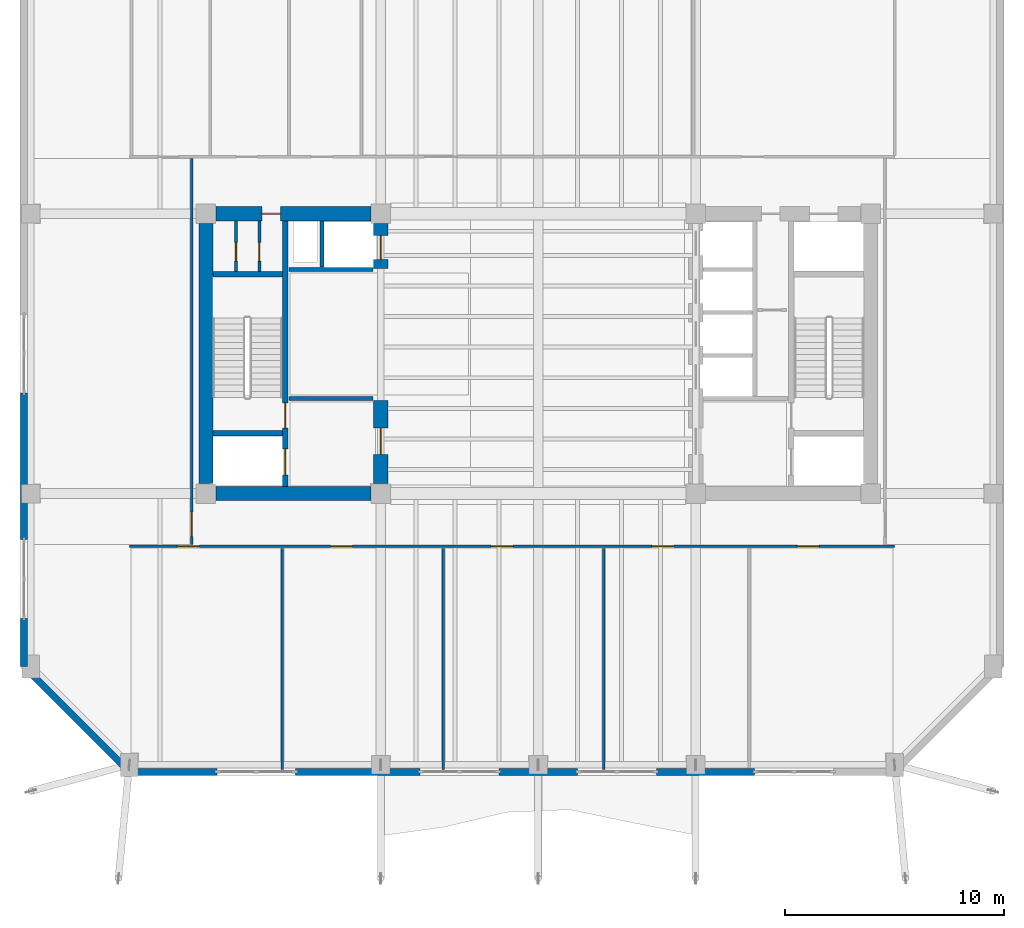
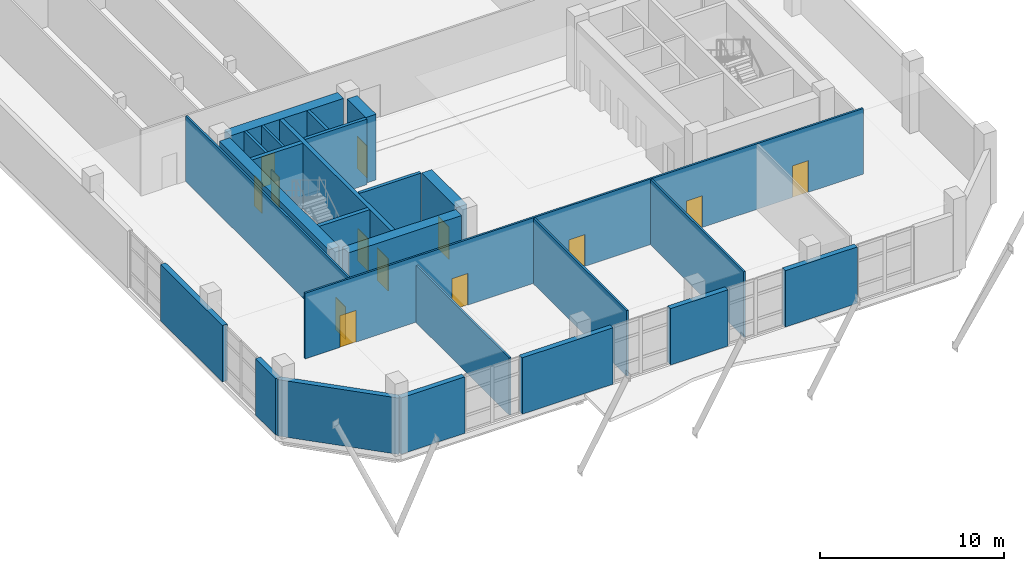
# One storey, part 8 of 15: 25 walls, 13 doors, 13 openings.
"""IFC4 building model written with IfcOpenShell, lengths in metres."""

from ifc_helpers import new_model, si_unit, direction, frame, frame_2d, origin, place, context, subcontext, project, spatial, rectangle, extrude, material, layer, layer_set, type_object, element, fill, save


model = new_model("IFC4")

# Units and contexts
model_context = context("Model", 3, precision=1e-05, world=origin(), true_north=direction((0.0, 1.0)))
body_context = subcontext(model_context, "Body", "Model", "MODEL_VIEW")
ifc_project = project(units=[si_unit("LENGTHUNIT", "METRE"), si_unit("AREAUNIT", "SQUARE_METRE"), si_unit("VOLUMEUNIT", "CUBIC_METRE"), si_unit("PLANEANGLEUNIT", "RADIAN"), si_unit("MASSUNIT", "GRAM", prefix="KILO")], contexts=[model_context])

# Site, building, storey
site_placement = place(None, origin())
site = spatial("IfcSite", under=ifc_project, at=site_placement, CompositionType="ELEMENT")
building_placement = place(site_placement, origin())
building = spatial("IfcBuilding", under=site, at=building_placement, Name="Kranthara Brick Stack", CompositionType="ELEMENT")
storey_placement = place(building_placement, frame((0.0, 0.0, 202.699951171875)))
storey = spatial("IfcBuildingStorey", under=building, at=storey_placement, Name="L52", CompositionType="ELEMENT", Elevation=202.699951171875)

# Walls
ifc_material_1 = material(Name="Warm buff clay brick masonry M15", Category="masonry")
ifc_layer_1 = layer(ifc_material_1, 0.320068359375)
ifc_layer_set_1 = layer_set([ifc_layer_1], Name="Warm buff clay brick masonry M15")
wall_type_1 = type_object("IfcWallType", Name="WL-BRK-UPPR-320", PredefinedType="STANDARD", material=ifc_layer_set_1)
wall_1_placement = place(storey_placement, frame((37.89990234375, 8.080078125, 0.0), z_axis=(0.0, 0.0, 1.0), x_axis=(-1.0, 0.0, 0.0)))
element("IfcWall", 1, at=wall_1_placement, inside=storey, type_object=wall_type_1, Name="L52 Exterior Brick Facade Wall SOUTH 2", PredefinedType="STANDARD", context=body_context, shape_type="SweptSolid", body=[
    extrude(rectangle(XDim=4.5, YDim=0.320068359375, at=frame_2d((2.25, 0.0))), origin(), (0.0, 0.0, 1.0), 3.735107421875),
])
wall_2_placement = place(storey_placement, frame((29.800048828125, 8.080078125, 0.0), z_axis=(0.0, 0.0, 1.0), x_axis=(-1.0, 0.0, 0.0)))
element("IfcWall", 2, at=wall_2_placement, inside=storey, type_object=wall_type_1, Name="L52 Exterior Brick Facade Wall SOUTH 3", PredefinedType="STANDARD", context=body_context, shape_type="SweptSolid", body=[
    extrude(rectangle(XDim=3.60009765625, YDim=0.320068359375, at=frame_2d((1.800048828125, 0.0))), origin(), (0.0, 0.0, 1.0), 3.735107421875),
])
wall_3_placement = place(storey_placement, frame((22.60009765625, 8.080078125, 0.0), z_axis=(0.0, 0.0, 1.0), x_axis=(-1.0, 0.0, 0.0)))
element("IfcWall", 3, at=wall_3_placement, inside=storey, type_object=wall_type_1, Name="L52 Exterior Brick Facade Wall SOUTH 4", PredefinedType="STANDARD", context=body_context, shape_type="SweptSolid", body=[
    extrude(rectangle(XDim=5.7001953125, YDim=0.320068359375, at=frame_2d((2.85009765625, 0.0))), origin(), (0.0, 0.0, 1.0), 3.735107421875),
])
wall_4_placement = place(storey_placement, frame((13.300048828125, 8.080078125, 0.0), z_axis=(0.0, 0.0, 1.0), x_axis=(-1.0, 0.0, 0.0)))
element("IfcWall", 4, at=wall_4_placement, inside=storey, type_object=wall_type_1, Name="L52 Exterior Brick Facade Wall SOUTH 5", PredefinedType="STANDARD", context=body_context, shape_type="SweptSolid", body=[
    extrude(rectangle(XDim=4.0, YDim=0.320068359375, at=frame_2d((2.0, 0.0))), origin(), (0.0, 0.0, 1.0), 3.735107421875),
])
wall_5_placement = place(storey_placement, frame((9.300048828125, 8.080078125, 0.0), z_axis=(0.0, 0.0, 1.0), x_axis=(-0.707124689198, 0.707088872722, 0.0)))
element("IfcWall", 5, at=wall_5_placement, inside=storey, type_object=wall_type_1, Name="L52 Exterior Brick Facade Wall SW 1", PredefinedType="STANDARD", context=body_context, shape_type="SweptSolid", body=[
    extrude(rectangle(XDim=6.81640625, YDim=0.320068359375, at=frame_2d((3.408203125, 0.0))), origin(), (0.0, 0.0, 1.0), 3.735107421875),
])
wall_6_placement = place(storey_placement, frame((4.47998046875, 12.89990234375, 0.0), z_axis=(0.0, 0.0, 1.0), x_axis=(0.0, 1.0, 0.0)))
element("IfcWall", 6, at=wall_6_placement, inside=storey, type_object=wall_type_1, Name="L52 Exterior Brick Facade Wall WEST 1", PredefinedType="STANDARD", context=body_context, shape_type="SweptSolid", body=[
    extrude(rectangle(XDim=2.2001953125, YDim=0.320068359375, at=frame_2d((1.10009765625, 0.0))), origin(), (0.0, 0.0, 1.0), 3.735107421875),
])
wall_7_placement = place(storey_placement, frame((4.47998046875, 18.699951171875, 0.0), z_axis=(0.0, 0.0, 1.0), x_axis=(0.0, 1.0, 0.0)))
element("IfcWall", 7, at=wall_7_placement, inside=storey, type_object=wall_type_1, Name="L52 Exterior Brick Facade Wall WEST 2", PredefinedType="STANDARD", context=body_context, shape_type="SweptSolid", body=[
    extrude(rectangle(XDim=6.699951171875, YDim=0.320068359375, at=frame_2d((3.35009765625, 0.0))), origin(), (0.0, 0.0, 1.0), 3.735107421875),
])

# Wall, openings, doors
ifc_material_2 = material(Name="Concrete C50/60", Category="concrete")
ifc_layer_2 = layer(ifc_material_2, 0.25)
ifc_layer_set_2 = layer_set([ifc_layer_2], Name="Concrete C50/60")
wall_type_2 = type_object("IfcWallType", Name="WL-CORE-250", PredefinedType="SHEAR", material=ifc_layer_set_2)
wall_8_placement = place(storey_placement, frame((16.43505859375, 21.135009765625, 0.0), z_axis=(0.0, 0.0, 1.0), x_axis=(0.0, 1.0, 0.0)))
wall_8 = element("IfcWall", 8, at=wall_8_placement, inside=storey, type_object=wall_type_2, Name="L52 West Core Stair Bearing Spine Wall", PredefinedType="SHEAR", context=body_context, shape_type="SweptSolid", body=[
    extrude(rectangle(XDim=12.1298828125, YDim=0.25, at=frame_2d((6.06494140625, 0.0))), origin(), (0.0, 0.0, 1.0), 4.35009765625),
])
opening_1_placement = place(wall_8_placement, frame((0.514892578125, 0.0, 0.0)))
opening_1 = element("IfcOpeningElement", 9, at=opening_1_placement, cuts=wall_8, Name="Opening LD01", PredefinedType="OPENING", context=body_context, shape_type="SweptSolid", body=[
    extrude(rectangle(XDim=1.199951171875, YDim=2.14990234375, at=frame_2d((0.60009765625, 1.074951171875))), frame((0.0, 0.135009765625, 0.0), z_axis=(0.0, -1.0, 0.0), x_axis=(1.0, 0.0, 0.0)), (0.0, 0.0, 1.0), 0.27001953125),
])
opening_2_placement = place(wall_8_placement, frame((2.6650390625, 0.0, 0.0)))
opening_2 = element("IfcOpeningElement", 10, at=opening_2_placement, cuts=wall_8, Name="Opening D05", PredefinedType="OPENING", context=body_context, shape_type="SweptSolid", body=[
    extrude(rectangle(XDim=1.14990234375, YDim=2.14990234375, at=frame_2d((0.574951171875, 1.074951171875))), frame((0.0, 0.135009765625, 0.0), z_axis=(0.0, -1.0, 0.0), x_axis=(1.0, 0.0, 0.0)), (0.0, 0.0, 1.0), 0.27001953125),
])
ifc_material_3 = material(Name="Stainless steel sliding landing door", Category="steel")
door_type_1 = type_object("IfcDoorType", Name="DR-LD-FF1200", OperationType="DOUBLE_DOOR_SLIDING", PredefinedType="DOOR", material=ifc_material_3)
door_1_placement = place(opening_1_placement, origin())
door_1 = element("IfcDoor", 11, at=door_1_placement, inside=storey, type_object=door_type_1, Name="L52 Firefighting Lift FF-01 Landing Door", OperationType="DOUBLE_DOOR_SLIDING", OverallHeight=2.14990234375, OverallWidth=1.199951171875, PredefinedType="DOOR", context=body_context, shape_type="SweptSolid", body=[
    extrude(rectangle(XDim=1.199951171875, YDim=2.14990234375, at=frame_2d((0.60009765625, 1.074951171875))), frame((0.0, 0.02490234375, 0.0), z_axis=(0.0, -1.0, 0.0), x_axis=(1.0, 0.0, 0.0)), (0.0, 0.0, 1.0), 0.050048828125),
])
fill(opening_1, door_1)
ifc_material_4 = material(Name="Solid-core hardwood timber leaf in steel frame", Category="steel")
door_type_2 = type_object("IfcDoorType", Name="DR-ST-1150", OperationType="NOTDEFINED", PredefinedType="DOOR", material=ifc_material_4)
door_2_placement = place(opening_2_placement, origin())
door_2 = element("IfcDoor", 12, at=door_2_placement, inside=storey, type_object=door_type_2, Name="L52 Exit Stair ST01 Door", OperationType="SINGLE_SWING_RIGHT", OverallHeight=2.14990234375, OverallWidth=1.14990234375, PredefinedType="DOOR", context=body_context, shape_type="SweptSolid", body=[
    extrude(rectangle(XDim=1.14990234375, YDim=2.14990234375, at=frame_2d((0.574951171875, 1.074951171875))), frame((0.0, 0.02490234375, 0.0), z_axis=(0.0, -1.0, 0.0), x_axis=(1.0, 0.0, 0.0)), (0.0, 0.0, 1.0), 0.050048828125),
])
fill(opening_2, door_2)

# Walls
for number, where, z_axis, x_axis, name in (
    (13, (13.135009765625, 23.570068359375, 0.0), (0.0, 0.0, 1.0), (1.0, 0.0, 0.0), "L52 West Stairwell Bearing Wall WFF"),
    (14, (13.135009765625, 30.830078125, 0.0), (0.0, 0.0, 1.0), (1.0, 0.0, 0.0), "L52 West Stairwell Bearing Wall WST"),
):
    element("IfcWall", number, at=place(storey_placement, frame(where, z_axis=z_axis, x_axis=x_axis)), inside=storey, type_object=wall_type_2, Name=name, PredefinedType="SHEAR", context=body_context, shape_type="SweptSolid", body=[
        extrude(rectangle(XDim=3.175048828125, YDim=0.25, at=frame_2d((1.58740234375, 0.0))), origin(), (0.0, 0.0, 1.0), 4.35009765625),
    ])
ifc_material_5 = material(Name="Concrete C60/75", Category="concrete")
ifc_layer_3 = layer(ifc_material_5, 0.64990234375)
ifc_layer_set_3 = layer_set([ifc_layer_3], Name="Concrete C60/75")
wall_type_3 = type_object("IfcWallType", Name="WL-CORE-650", PredefinedType="SHEAR", material=ifc_layer_set_3)
wall_9_placement = place(storey_placement, frame((12.800048828125, 21.2548828125, 0.0), z_axis=(0.0, 0.0, 1.0), x_axis=(0.0, 1.0, 0.0)))
element("IfcWall", 15, at=wall_9_placement, inside=storey, type_object=wall_type_3, Name="L52 West Core Shear Wall West", PredefinedType="SHEAR", context=body_context, shape_type="SweptSolid", body=[
    extrude(rectangle(XDim=11.89013671875, YDim=0.64990234375, at=frame_2d((5.945068359375, 0.0))), origin(), (0.0, 0.0, 1.0), 4.35009765625),
])
wall_10_placement = place(storey_placement, frame((13.2548828125, 20.800048828125, 0.0), z_axis=(0.0, 0.0, 1.0), x_axis=(1.0, 0.0, 0.0)))
element("IfcWall", 16, at=wall_10_placement, inside=storey, type_object=wall_type_3, Name="L52 West Core Shear Wall South", PredefinedType="SHEAR", context=body_context, shape_type="SweptSolid", body=[
    extrude(rectangle(XDim=7.090087890625, YDim=0.64990234375, at=frame_2d((3.544921875, 0.0))), origin(), (0.0, 0.0, 1.0), 4.35009765625),
])

# Wall, opening, door
wall_11_placement = place(storey_placement, frame((13.2548828125, 33.60009765625, 0.0), z_axis=(0.0, 0.0, 1.0), x_axis=(1.0, 0.0, 0.0)))
wall_11 = element("IfcWall", 17, at=wall_11_placement, inside=storey, type_object=wall_type_3, Name="L52 West Core Shear Wall North", PredefinedType="SHEAR", context=body_context, shape_type="SweptSolid", body=[
    extrude(rectangle(XDim=7.090087890625, YDim=0.64990234375, at=frame_2d((3.544921875, 0.0))), origin(), (0.0, 0.0, 1.0), 4.35009765625),
])
opening_3_placement = place(wall_11_placement, frame((2.114990234375, 0.0, 0.0)))
opening_3 = element("IfcOpeningElement", 18, at=opening_3_placement, cuts=wall_11, Name="Opening D10", PredefinedType="OPENING", context=body_context, shape_type="SweptSolid", body=[
    extrude(rectangle(XDim=0.85009765625, YDim=2.02001953125, at=frame_2d((0.425048828125, 1.010009765625))), frame((0.0, 0.3349609375, 0.0), z_axis=(0.0, -1.0, 0.0), x_axis=(1.0, 0.0, 0.0)), (0.0, 0.0, 1.0), 0.669921875),
])
ifc_material_6 = material(Name="Solid-core hardwood timber leaf in steel frame", Category="steel")
door_type_3 = type_object("IfcDoorType", Name="DR-RSR-850", OperationType="NOTDEFINED", PredefinedType="DOOR", material=ifc_material_6)
door_3_placement = place(opening_3_placement, origin())
door_3 = element("IfcDoor", 19, at=door_3_placement, inside=storey, type_object=door_type_3, Name="L52 West Core Service Door 1", OperationType="SINGLE_SWING_RIGHT", OverallHeight=2.02001953125, OverallWidth=0.85009765625, PredefinedType="DOOR", context=body_context, shape_type="SweptSolid", body=[
    extrude(rectangle(XDim=0.85009765625, YDim=2.02001953125, at=frame_2d((0.425048828125, 1.010009765625))), frame((0.0, 0.02490234375, 0.0), z_axis=(0.0, -1.0, 0.0), x_axis=(1.0, 0.0, 0.0)), (0.0, 0.0, 1.0), 0.050048828125),
])
fill(opening_3, door_3)

wall_12_placement = place(storey_placement, frame((20.800048828125, 21.2548828125, 0.0), z_axis=(0.0, 0.0, 1.0), x_axis=(0.0, 1.0, 0.0)))
wall_12 = element("IfcWall", 20, at=wall_12_placement, inside=storey, type_object=wall_type_3, Name="L52 West Core Lobby Shear Wall", PredefinedType="SHEAR", context=body_context, shape_type="SweptSolid", body=[
    extrude(rectangle(XDim=3.795166015625, YDim=0.64990234375, at=frame_2d((1.8974609375, 0.0))), origin(), (0.0, 0.0, 1.0), 4.35009765625),
])
opening_4_placement = place(wall_12_placement, frame((1.344970703125, 0.0, 0.0)))
opening_4 = element("IfcOpeningElement", 21, at=opening_4_placement, cuts=wall_12, Name="Opening D06", PredefinedType="OPENING", context=body_context, shape_type="SweptSolid", body=[
    extrude(rectangle(XDim=1.199951171875, YDim=2.14990234375, at=frame_2d((0.60009765625, 1.074951171875))), frame((0.0, 0.3349609375, 0.0), z_axis=(0.0, -1.0, 0.0), x_axis=(1.0, 0.0, 0.0)), (0.0, 0.0, 1.0), 0.669921875),
])
ifc_material_7 = material(Name="Solid-core hardwood timber leaf in steel frame", Category="steel")
door_type_4 = type_object("IfcDoorType", Name="DR-FFL-1200", OperationType="NOTDEFINED", PredefinedType="DOOR", material=ifc_material_7)
door_4_placement = place(opening_4_placement, origin())
door_4 = element("IfcDoor", 22, at=door_4_placement, inside=storey, type_object=door_type_4, Name="L52 West Firefighting Lobby Door", OperationType="SINGLE_SWING_LEFT", OverallHeight=2.14990234375, OverallWidth=1.199951171875, PredefinedType="DOOR", context=body_context, shape_type="SweptSolid", body=[
    extrude(rectangle(XDim=1.199951171875, YDim=2.14990234375, at=frame_2d((0.60009765625, 1.074951171875))), frame((0.0, 0.02490234375, 0.0), z_axis=(0.0, -1.0, 0.0), x_axis=(1.0, 0.0, 0.0)), (0.0, 0.0, 1.0), 0.050048828125),
])
fill(opening_4, door_4)

wall_13_placement = place(storey_placement, frame((20.800048828125, 31.10009765625, 0.0), z_axis=(0.0, 0.0, 1.0), x_axis=(0.0, 1.0, 0.0)))
wall_13 = element("IfcWall", 23, at=wall_13_placement, inside=storey, type_object=wall_type_3, Name="L52 West Core High-Rise Lift Wall", PredefinedType="SHEAR", context=body_context, shape_type="SweptSolid", body=[
    extrude(rectangle(XDim=2.044921875, YDim=0.64990234375, at=frame_2d((1.0224609375, 0.0))), origin(), (0.0, 0.0, 1.0), 4.35009765625),
])
opening_5_placement = place(wall_13_placement, frame((0.39990234375, 0.0, 0.0)))
opening_5 = element("IfcOpeningElement", 24, at=opening_5_placement, cuts=wall_13, Name="Opening LD02", PredefinedType="OPENING", context=body_context, shape_type="SweptSolid", body=[
    extrude(rectangle(XDim=1.10009765625, YDim=2.10009765625, at=frame_2d((0.550048828125, 1.050048828125))), frame((0.0, 0.3349609375, 0.0), z_axis=(0.0, -1.0, 0.0), x_axis=(1.0, 0.0, 0.0)), (0.0, 0.0, 1.0), 0.669921875),
])
ifc_material_8 = material(Name="Stainless steel sliding landing door", Category="steel")
door_type_5 = type_object("IfcDoorType", Name="DR-LD-PL1100", OperationType="DOUBLE_DOOR_SLIDING", PredefinedType="DOOR", material=ifc_material_8)
door_5_placement = place(opening_5_placement, origin())
door_5 = element("IfcDoor", 25, at=door_5_placement, inside=storey, type_object=door_type_5, Name="L52 PL-07 Lift Landing Door", OperationType="DOUBLE_DOOR_SLIDING", OverallHeight=2.10009765625, OverallWidth=1.10009765625, PredefinedType="DOOR", context=body_context, shape_type="SweptSolid", body=[
    extrude(rectangle(XDim=1.10009765625, YDim=2.10009765625, at=frame_2d((0.550048828125, 1.050048828125))), frame((0.0, 0.02490234375, 0.0), z_axis=(0.0, -1.0, 0.0), x_axis=(1.0, 0.0, 0.0)), (0.0, 0.0, 1.0), 0.050048828125),
])
fill(opening_5, door_5)

# Wall, openings, doors
ifc_material_9 = material(Name="Acoustic gypsum plasterboard partition", Category="other")
ifc_layer_4 = layer(ifc_material_9, 0.1201171875)
ifc_layer_set_4 = layer_set([ifc_layer_4], Name="Acoustic gypsum plasterboard partition")
wall_type_4 = type_object("IfcWallType", Name="WL-PART-120", PredefinedType="PARTITIONING", material=ifc_layer_set_4)
wall_14_placement = place(storey_placement, frame((9.300048828125, 18.39990234375, 0.0), z_axis=(0.0, 0.0, 1.0), x_axis=(1.0, 0.0, 0.0)))
wall_14 = element("IfcWall", 26, at=wall_14_placement, inside=storey, type_object=wall_type_4, Name="L52 Interior Partition 004", PredefinedType="PARTITIONING", context=body_context, shape_type="SweptSolid", body=[
    extrude(rectangle(XDim=35.0, YDim=0.1201171875, at=frame_2d((17.5, 0.0))), origin(), (0.0, 0.0, 1.0), 4.35009765625),
])
opening_6_placement = place(wall_14_placement, frame((2.199951171875, 0.0, 0.0)))
opening_6 = element("IfcOpeningElement", 27, at=opening_6_placement, cuts=wall_14, Name="Opening D13", PredefinedType="OPENING", context=body_context, shape_type="SweptSolid", body=[
    extrude(rectangle(XDim=1.0, YDim=2.10009765625, at=frame_2d((0.5, 1.050048828125))), frame((0.0, 0.070068359375, 0.0), z_axis=(0.0, -1.0, 0.0), x_axis=(1.0, 0.0, 0.0)), (0.0, 0.0, 1.0), 0.14013671875),
])
opening_7_placement = place(wall_14_placement, frame((9.199951171875, 0.0, 0.0)))
opening_7 = element("IfcOpeningElement", 28, at=opening_7_placement, cuts=wall_14, Name="Opening D13", PredefinedType="OPENING", context=body_context, shape_type="SweptSolid", body=[
    extrude(rectangle(XDim=1.0, YDim=2.10009765625, at=frame_2d((0.5, 1.050048828125))), frame((0.0, 0.070068359375, 0.0), z_axis=(0.0, -1.0, 0.0), x_axis=(1.0, 0.0, 0.0)), (0.0, 0.0, 1.0), 0.14013671875),
])
opening_8_placement = place(wall_14_placement, frame((16.550048828125, 0.0, 0.0)))
opening_8 = element("IfcOpeningElement", 29, at=opening_8_placement, cuts=wall_14, Name="Opening D13", PredefinedType="OPENING", context=body_context, shape_type="SweptSolid", body=[
    extrude(rectangle(XDim=1.0, YDim=2.10009765625, at=frame_2d((0.5, 1.050048828125))), frame((0.0, 0.070068359375, 0.0), z_axis=(0.0, -1.0, 0.0), x_axis=(1.0, 0.0, 0.0)), (0.0, 0.0, 1.0), 0.14013671875),
])
opening_9_placement = place(wall_14_placement, frame((23.89990234375, 0.0, 0.0)))
opening_9 = element("IfcOpeningElement", 30, at=opening_9_placement, cuts=wall_14, Name="Opening D13", PredefinedType="OPENING", context=body_context, shape_type="SweptSolid", body=[
    extrude(rectangle(XDim=1.0, YDim=2.10009765625, at=frame_2d((0.5, 1.050048828125))), frame((0.0, 0.070068359375, 0.0), z_axis=(0.0, -1.0, 0.0), x_axis=(1.0, 0.0, 0.0)), (0.0, 0.0, 1.0), 0.14013671875),
])
opening_10_placement = place(wall_14_placement, frame((30.550048828125, 0.0, 0.0)))
opening_10 = element("IfcOpeningElement", 31, at=opening_10_placement, cuts=wall_14, Name="Opening D13", PredefinedType="OPENING", context=body_context, shape_type="SweptSolid", body=[
    extrude(rectangle(XDim=1.0, YDim=2.10009765625, at=frame_2d((0.5, 1.050048828125))), frame((0.0, 0.070068359375, 0.0), z_axis=(0.0, -1.0, 0.0), x_axis=(1.0, 0.0, 0.0)), (0.0, 0.0, 1.0), 0.14013671875),
])
ifc_material_10 = material(Name="Solid-core hardwood timber leaf in steel frame", Category="steel")
door_type_6 = type_object("IfcDoorType", Name="DR-INT-1000", OperationType="NOTDEFINED", PredefinedType="DOOR", material=ifc_material_10)
door_6_placement = place(opening_6_placement, origin())
door_6 = element("IfcDoor", 32, at=door_6_placement, inside=storey, type_object=door_type_6, Name="L52 Residents Private Dining Room 04", OperationType="SINGLE_SWING_RIGHT", OverallHeight=2.10009765625, OverallWidth=1.0, PredefinedType="DOOR", context=body_context, shape_type="SweptSolid", body=[
    extrude(rectangle(XDim=1.0, YDim=2.10009765625, at=frame_2d((0.5, 1.050048828125))), frame((0.0, 0.02490234375, 0.0), z_axis=(0.0, -1.0, 0.0), x_axis=(1.0, 0.0, 0.0)), (0.0, 0.0, 1.0), 0.050048828125),
])
fill(opening_6, door_6)
door_7_placement = place(opening_7_placement, origin())
door_7 = element("IfcDoor", 33, at=door_7_placement, inside=storey, type_object=door_type_6, Name="L52 Residents Reading Library 05", OperationType="SINGLE_SWING_LEFT", OverallHeight=2.10009765625, OverallWidth=1.0, PredefinedType="DOOR", context=body_context, shape_type="SweptSolid", body=[
    extrude(rectangle(XDim=1.0, YDim=2.10009765625, at=frame_2d((0.5, 1.050048828125))), frame((0.0, 0.02490234375, 0.0), z_axis=(0.0, -1.0, 0.0), x_axis=(1.0, 0.0, 0.0)), (0.0, 0.0, 1.0), 0.050048828125),
])
fill(opening_7, door_7)
door_8_placement = place(opening_8_placement, origin())
door_8 = element("IfcDoor", 34, at=door_8_placement, inside=storey, type_object=door_type_6, Name="L52 Sky Library Study 06", OperationType="SINGLE_SWING_RIGHT", OverallHeight=2.10009765625, OverallWidth=1.0, PredefinedType="DOOR", context=body_context, shape_type="SweptSolid", body=[
    extrude(rectangle(XDim=1.0, YDim=2.10009765625, at=frame_2d((0.5, 1.050048828125))), frame((0.0, 0.02490234375, 0.0), z_axis=(0.0, -1.0, 0.0), x_axis=(1.0, 0.0, 0.0)), (0.0, 0.0, 1.0), 0.050048828125),
])
fill(opening_8, door_8)
door_9_placement = place(opening_9_placement, origin())
door_9 = element("IfcDoor", 35, at=door_9_placement, inside=storey, type_object=door_type_6, Name="L52 Residents Tea Salon 07", OperationType="SINGLE_SWING_LEFT", OverallHeight=2.10009765625, OverallWidth=1.0, PredefinedType="DOOR", context=body_context, shape_type="SweptSolid", body=[
    extrude(rectangle(XDim=1.0, YDim=2.10009765625, at=frame_2d((0.5, 1.050048828125))), frame((0.0, 0.02490234375, 0.0), z_axis=(0.0, -1.0, 0.0), x_axis=(1.0, 0.0, 0.0)), (0.0, 0.0, 1.0), 0.050048828125),
])
fill(opening_9, door_9)
door_10_placement = place(opening_10_placement, origin())
door_10 = element("IfcDoor", 36, at=door_10_placement, inside=storey, type_object=door_type_6, Name="L52 Residents Focus Study Room 08", OperationType="SINGLE_SWING_RIGHT", OverallHeight=2.10009765625, OverallWidth=1.0, PredefinedType="DOOR", context=body_context, shape_type="SweptSolid", body=[
    extrude(rectangle(XDim=1.0, YDim=2.10009765625, at=frame_2d((0.5, 1.050048828125))), frame((0.0, 0.02490234375, 0.0), z_axis=(0.0, -1.0, 0.0), x_axis=(1.0, 0.0, 0.0)), (0.0, 0.0, 1.0), 0.050048828125),
])
fill(opening_10, door_10)

# Walls
wall_15_placement = place(storey_placement, frame((16.300048828125, 8.195068359375, 0.0), z_axis=(0.0, 0.0, 1.0), x_axis=(0.0, 1.0, 0.0)))
element("IfcWall", 37, at=wall_15_placement, inside=storey, type_object=wall_type_4, Name="L52 Interior Partition 006", PredefinedType="PARTITIONING", context=body_context, shape_type="SweptSolid", body=[
    extrude(rectangle(XDim=10.10498046875, YDim=0.1201171875, at=frame_2d((5.052490234375, 0.0))), origin(), (0.0, 0.0, 1.0), 3.78515625),
])
for number, where, z_axis, x_axis, name in (
    (38, (23.64990234375, 8.195068359375, 0.0), (0.0, 0.0, 1.0), (0.0, 1.0, 0.0), "L52 Interior Partition 007"),
    (39, (31.0, 8.195068359375, 0.0), (0.0, 0.0, 1.0), (0.0, 1.0, 0.0), "L52 Interior Partition 008"),
):
    element("IfcWall", number, at=place(storey_placement, frame(where, z_axis=z_axis, x_axis=x_axis)), inside=storey, type_object=wall_type_4, Name=name, PredefinedType="PARTITIONING", context=body_context, shape_type="SweptSolid", body=[
        extrude(rectangle(XDim=10.10498046875, YDim=0.1201171875, at=frame_2d((5.052490234375, 0.0))), origin(), (0.0, 0.0, 1.0), 4.35009765625),
    ])

# Wall, opening, door
wall_16_placement = place(storey_placement, frame((12.14990234375, 18.465087890625, 0.0), z_axis=(0.0, 0.0, 1.0), x_axis=(0.0, 1.0, 0.0)))
wall_16 = element("IfcWall", 40, at=wall_16_placement, inside=storey, type_object=wall_type_4, Name="L52 Interior Partition 016", PredefinedType="PARTITIONING", context=body_context, shape_type="SweptSolid", body=[
    extrude(rectangle(XDim=17.669921875, YDim=0.1201171875, at=frame_2d((8.8349609375, 0.0))), origin(), (0.0, 0.0, 1.0), 4.35009765625),
])
opening_11_placement = place(wall_16_placement, frame((0.385009765625, 0.0, 0.0)))
opening_11 = element("IfcOpeningElement", 41, at=opening_11_placement, cuts=wall_16, Name="Opening D11", PredefinedType="OPENING", context=body_context, shape_type="SweptSolid", body=[
    extrude(rectangle(XDim=1.10009765625, YDim=2.14990234375, at=frame_2d((0.550048828125, 1.074951171875))), frame((0.0, 0.070068359375, 0.0), z_axis=(0.0, -1.0, 0.0), x_axis=(1.0, 0.0, 0.0)), (0.0, 0.0, 1.0), 0.14013671875),
])
ifc_material_11 = material(Name="Solid-core hardwood timber leaf in steel frame", Category="steel")
door_type_7 = type_object("IfcDoorType", Name="DR-INT-1100", OperationType="NOTDEFINED", PredefinedType="DOOR", material=ifc_material_11)
door_11_placement = place(opening_11_placement, origin())
door_11 = element("IfcDoor", 42, at=door_11_placement, inside=storey, type_object=door_type_7, Name="L52 West Concierge Door 14", OperationType="SINGLE_SWING_RIGHT", OverallHeight=2.14990234375, OverallWidth=1.10009765625, PredefinedType="DOOR", context=body_context, shape_type="SweptSolid", body=[
    extrude(rectangle(XDim=1.10009765625, YDim=2.14990234375, at=frame_2d((0.550048828125, 1.074951171875))), frame((0.0, 0.02490234375, 0.0), z_axis=(0.0, -1.0, 0.0), x_axis=(1.0, 0.0, 0.0)), (0.0, 0.0, 1.0), 0.050048828125),
])
fill(opening_11, door_11)

ifc_material_12 = material(Name="Fire-rated gypsum board partition", Category="other")
ifc_layer_5 = layer(ifc_material_12, 0.14990234375)
ifc_layer_set_5 = layer_set([ifc_layer_5], Name="Fire-rated gypsum board partition")
wall_type_5 = type_object("IfcWallType", Name="WL-PART-150", PredefinedType="PARTITIONING", material=ifc_layer_set_5)
wall_17_placement = place(storey_placement, frame((14.179931640625, 30.9599609375, 0.0), z_axis=(0.0, 0.0, 1.0), x_axis=(0.0, 1.0, 0.0)))
wall_17 = element("IfcWall", 43, at=wall_17_placement, inside=storey, type_object=wall_type_5, Name="L52 Interior Partition 001", PredefinedType="PARTITIONING", context=body_context, shape_type="SweptSolid", body=[
    extrude(rectangle(XDim=2.31005859375, YDim=0.14990234375, at=frame_2d((1.155029296875, 0.0))), origin(), (0.0, 0.0, 1.0), 4.35009765625),
])
opening_12_placement = place(wall_17_placement, frame((0.469970703125, 0.0, 0.0)))
opening_12 = element("IfcOpeningElement", 44, at=opening_12_placement, cuts=wall_17, Name="Opening D10", PredefinedType="OPENING", context=body_context, shape_type="SweptSolid", body=[
    extrude(rectangle(XDim=0.85009765625, YDim=2.02001953125, at=frame_2d((0.425048828125, 1.010009765625))), frame((0.0, 0.0849609375, 0.0), z_axis=(0.0, -1.0, 0.0), x_axis=(1.0, 0.0, 0.0)), (0.0, 0.0, 1.0), 0.169921875),
])
door_12_placement = place(opening_12_placement, origin())
door_12 = element("IfcDoor", 45, at=door_12_placement, inside=storey, type_object=door_type_3, Name="L52 Riser Door A 01", OperationType="SINGLE_SWING_LEFT", OverallHeight=2.02001953125, OverallWidth=0.85009765625, PredefinedType="DOOR", context=body_context, shape_type="SweptSolid", body=[
    extrude(rectangle(XDim=0.85009765625, YDim=2.02001953125, at=frame_2d((0.425048828125, 1.010009765625))), frame((0.0, 0.02490234375, 0.0), z_axis=(0.0, -1.0, 0.0), x_axis=(1.0, 0.0, 0.0)), (0.0, 0.0, 1.0), 0.050048828125),
])
fill(opening_12, door_12)

wall_18_placement = place(storey_placement, frame((15.25, 30.9599609375, 0.0), z_axis=(0.0, 0.0, 1.0), x_axis=(0.0, 1.0, 0.0)))
wall_18 = element("IfcWall", 46, at=wall_18_placement, inside=storey, type_object=wall_type_5, Name="L52 Interior Partition 002", PredefinedType="PARTITIONING", context=body_context, shape_type="SweptSolid", body=[
    extrude(rectangle(XDim=2.31005859375, YDim=0.14990234375, at=frame_2d((1.155029296875, 0.0))), origin(), (0.0, 0.0, 1.0), 4.35009765625),
])
opening_13_placement = place(wall_18_placement, frame((0.469970703125, 0.0, 0.0)))
opening_13 = element("IfcOpeningElement", 47, at=opening_13_placement, cuts=wall_18, Name="Opening D10", PredefinedType="OPENING", context=body_context, shape_type="SweptSolid", body=[
    extrude(rectangle(XDim=0.85009765625, YDim=2.02001953125, at=frame_2d((0.425048828125, 1.010009765625))), frame((0.0, 0.0849609375, 0.0), z_axis=(0.0, -1.0, 0.0), x_axis=(1.0, 0.0, 0.0)), (0.0, 0.0, 1.0), 0.169921875),
])
door_13_placement = place(opening_13_placement, origin())
door_13 = element("IfcDoor", 48, at=door_13_placement, inside=storey, type_object=door_type_3, Name="L52 Riser Door B 02", OperationType="SINGLE_SWING_RIGHT", OverallHeight=2.02001953125, OverallWidth=0.85009765625, PredefinedType="DOOR", context=body_context, shape_type="SweptSolid", body=[
    extrude(rectangle(XDim=0.85009765625, YDim=2.02001953125, at=frame_2d((0.425048828125, 1.010009765625))), frame((0.0, 0.02490234375, 0.0), z_axis=(0.0, -1.0, 0.0), x_axis=(1.0, 0.0, 0.0)), (0.0, 0.0, 1.0), 0.050048828125),
])
fill(opening_13, door_13)

# Walls
ifc_material_13 = material(Name="Gypsum plasterboard on acoustic twin stud", Category="other")
ifc_layer_6 = layer(ifc_material_13, 0.179931640625)
ifc_layer_set_6 = layer_set([ifc_layer_6], Name="Gypsum plasterboard on acoustic twin stud")
wall_type_6 = type_object("IfcWallType", Name="WL-PART-180", PredefinedType="PARTITIONING", material=ifc_layer_set_6)
wall_19_placement = place(storey_placement, frame((18.1201171875, 31.169921875, 0.0), z_axis=(0.0, 0.0, 1.0), x_axis=(0.0, 1.0, 0.0)))
element("IfcWall", 49, at=wall_19_placement, inside=storey, type_object=wall_type_6, Name="L52 PL-07 Shaft Back Wall", PredefinedType="PARTITIONING", context=body_context, shape_type="SweptSolid", body=[
    extrude(rectangle(XDim=2.094970703125, YDim=0.179931640625, at=frame_2d((1.04736328125, 0.0))), origin(), (0.0, 0.0, 1.0), 4.35009765625),
])
ifc_material_14 = material(Name="Concrete C40/50", Category="concrete")
ifc_layer_7 = layer(ifc_material_14, 0.199951171875)
ifc_layer_set_7 = layer_set([ifc_layer_7], Name="Concrete C40/50")
wall_type_7 = type_object("IfcWallType", Name="WL-PART-200", PredefinedType="SOLIDWALL", material=ifc_layer_set_7)
for number, where, z_axis, x_axis, name in (
    (50, (16.60009765625, 25.14990234375, 0.0), (0.0, 0.0, 1.0), (1.0, 0.0, 0.0), "L52 West Core Cross Wall WFL"),
    (51, (16.60009765625, 31.050048828125, 0.0), (0.0, 0.0, 1.0), (1.0, 0.0, 0.0), "L52 West Core Cross Wall WH4"),
):
    element("IfcWall", number, at=place(storey_placement, frame(where, z_axis=z_axis, x_axis=x_axis)), inside=storey, type_object=wall_type_7, Name=name, PredefinedType="SOLIDWALL", context=body_context, shape_type="SweptSolid", body=[
        extrude(rectangle(XDim=3.849853515625, YDim=0.199951171875, at=frame_2d((1.9248046875, 0.0))), origin(), (0.0, 0.0, 1.0), 4.35009765625),
    ])

save(model, "model.ifc")
